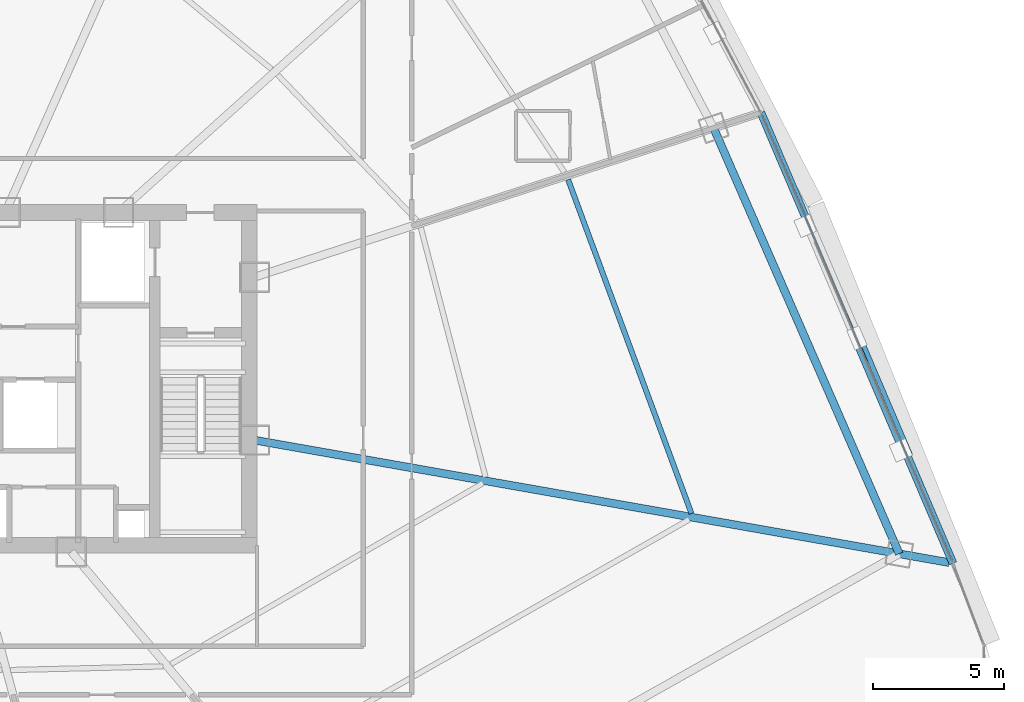
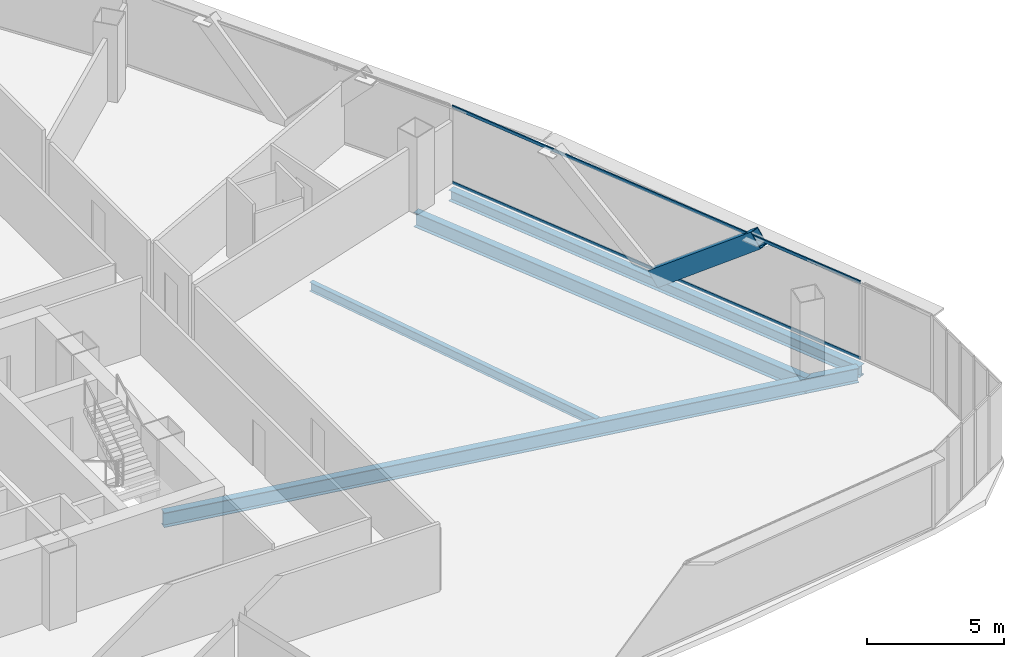
# One storey, part 25 of 42: 4 beams, 3 members, 1 element without a shape of its own.
"""IFC4 building model written with IfcOpenShell, lengths in metres."""

from ifc_helpers import new_model, si_unit, direction, frame, origin, origin_2d, place, context, subcontext, project, spatial, hollow_rectangle, i_section, extrude, source, transform, mapped, material, layer, layer_set, material_profile, profile_set, type_object, element, aggregate, save


model = new_model("IFC4")

# Units and contexts
model_context = context("Model", 3, precision=1e-05, world=origin(), true_north=direction((0.0, 1.0)))
body_context = subcontext(model_context, "Body", "Model", "MODEL_VIEW")
ifc_project = project(units=[si_unit("LENGTHUNIT", "METRE"), si_unit("AREAUNIT", "SQUARE_METRE"), si_unit("VOLUMEUNIT", "CUBIC_METRE"), si_unit("PLANEANGLEUNIT", "RADIAN"), si_unit("MASSUNIT", "GRAM", prefix="KILO"), si_unit("THERMODYNAMICTEMPERATUREUNIT", "KELVIN"), si_unit("POWERUNIT", "WATT")], contexts=[model_context])

# Site, building, storey
site_placement = place(None, origin())
site = spatial("IfcSite", under=ifc_project, at=site_placement, CompositionType="ELEMENT")
building_placement = place(site_placement, origin())
building = spatial("IfcBuilding", under=site, at=building_placement, Name="Yunzhuo Pagoda Commons", CompositionType="ELEMENT")
storey_placement = place(building_placement, frame((0.0, 0.0, 137.18994140625)))
storey = spatial("IfcBuildingStorey", under=building, at=storey_placement, Name="L34", CompositionType="ELEMENT", Elevation=137.18994140625)

# Beams
ifc_material_1 = material(Name="Structural steel Q355B", Category="steel")
ifc_material_profile_1 = material_profile(ifc_material_1, i_section(OverallWidth=0.300048828125, OverallDepth=0.488037109375, WebThickness=0.010986328125, FlangeThickness=0.01806640625, at=origin_2d()), Name="Structural steel Q355B")
ifc_profile_set_1 = profile_set([ifc_material_profile_1], Name="Structural steel Q355B")
beam_type_1 = type_object("IfcBeamType", Name="B-SP1 Beam HM 488x300x11x18", PredefinedType="BEAM", material=ifc_profile_set_1)
shared_shape_1 = source(origin(), body_context, "Body", "SweptSolid", [
    extrude(i_section(OverallWidth=0.300048828125, OverallDepth=0.488037109375, WebThickness=0.010986328125, FlangeThickness=0.01806640625, at=origin_2d()), origin(), (0.0, 0.0, 1.0), 18.688232421875),
])
beam_1_placement = place(storey_placement, frame((87.0478515625, 26.814697265625, -0.50390625), z_axis=(-0.392084847938, 0.919929058144, 0.0), x_axis=(-0.919929058144, -0.392084847938, 0.0)))
element("IfcBeam", 1, at=beam_1_placement, inside=storey, type_object=beam_type_1, Name="L34 facade edge spandrel beam F2.1", PredefinedType="BEAM", context=body_context, shape_type="MappedRepresentation", body=[
    mapped(shared_shape_1, transform((0.0, 0.0, 0.0), scale=1.0)),
])
ifc_material_profile_2 = material_profile(ifc_material_1, i_section(OverallWidth=0.300048828125, OverallDepth=0.64990234375, WebThickness=0.012939453125, FlangeThickness=0.02197265625, at=origin_2d()), Name="Structural steel Q355B")
ifc_profile_set_2 = profile_set([ifc_material_profile_2], Name="Structural steel Q355B")
beam_type_2 = type_object("IfcBeamType", Name="B-RG2 Beam HN 650x300x13x22", PredefinedType="BEAM", material=ifc_profile_set_2)
shared_shape_2 = source(origin(), body_context, "Body", "SweptSolid", [
    extrude(i_section(OverallWidth=0.300048828125, OverallDepth=0.64990234375, WebThickness=0.012939453125, FlangeThickness=0.02197265625, at=origin_2d()), origin(), (0.0, 0.0, 1.0), 26.904052734375),
])
beam_2_placement = place(storey_placement, frame((86.895263671875, 26.841796875, -0.584716796875), z_axis=(-0.984809127253, 0.173640383782, 0.0), x_axis=(-0.173640383782, -0.984809127253, 0.0)))
element("IfcBeam", 2, at=beam_2_placement, inside=storey, type_object=beam_type_2, Name="L34 radial floor girder F2C1", PredefinedType="BEAM", context=body_context, shape_type="MappedRepresentation", body=[
    mapped(shared_shape_2, transform((0.0, 0.0, 0.0), scale=1.0)),
])
shared_shape_3 = source(origin(), body_context, "Body", "SweptSolid", [
    extrude(i_section(OverallWidth=0.300048828125, OverallDepth=0.64990234375, WebThickness=0.012939453125, FlangeThickness=0.02197265625, at=origin_2d()), origin(), (0.0, 0.0, 1.0), 17.72021484375),
])
beam_3_placement = place(storey_placement, frame((84.9970703125, 27.176513671875, -0.584716796875), z_axis=(-0.399643307961, 0.916670729544, 0.0), x_axis=(-0.916670729544, -0.399643307961, 0.0)))
element("IfcBeam", 3, at=beam_3_placement, inside=storey, type_object=beam_type_2, Name="L34 column-ring beam 5", PredefinedType="BEAM", context=body_context, shape_type="MappedRepresentation", body=[
    mapped(shared_shape_3, transform((0.0, 0.0, 0.0), scale=1.0)),
])
ifc_material_profile_3 = material_profile(ifc_material_1, i_section(OverallWidth=0.199951171875, OverallDepth=0.39990234375, WebThickness=0.008056640625, FlangeThickness=0.012939453125, at=origin_2d()), Name="Structural steel Q355B")
ifc_profile_set_3 = profile_set([ifc_material_profile_3], Name="Structural steel Q355B")
beam_type_3 = type_object("IfcBeamType", Name="B-JS1 Joist HN 400x200x8x13", PredefinedType="JOIST", material=ifc_profile_set_3)
shared_shape_4 = source(origin(), body_context, "Body", "SweptSolid", [
    extrude(i_section(OverallWidth=0.199951171875, OverallDepth=0.39990234375, WebThickness=0.008056640625, FlangeThickness=0.012939453125, at=origin_2d()), origin(), (0.0, 0.0, 1.0), 13.57763671875),
])
beam_4_placement = place(storey_placement, frame((77.07080078125, 28.71337890625, -0.459716796875), z_axis=(-0.346531829181, 0.938038214235, 0.0), x_axis=(-0.938038214235, -0.346531829181, 0.0)))
element("IfcBeam", 4, at=beam_4_placement, inside=storey, type_object=beam_type_3, Name="L34 composite ring joist 2.5", PredefinedType="JOIST", context=body_context, shape_type="MappedRepresentation", body=[
    mapped(shared_shape_4, transform((0.0, 0.0, 0.0), scale=1.0)),
])

# Member
ifc_material_2 = material(Name="Structural steel Q420B", Category="steel")
ifc_material_profile_4 = material_profile(ifc_material_2, hollow_rectangle(XDim=0.419921875, YDim=0.719970703125, WallThickness=0.028076171875, at=origin_2d()), Name="Structural steel Q420B")
ifc_profile_set_4 = profile_set([ifc_material_profile_4], Name="Structural steel Q420B")
member_type_1 = type_object("IfcMemberType", Name="M-DL1 Brace BOX 720x420x28", PredefinedType="BRACE", material=ifc_profile_set_4)
shared_shape_5 = source(origin(), body_context, "Body", "SweptSolid", [
    extrude(hollow_rectangle(XDim=0.419921875, YDim=0.719970703125, WallThickness=0.028076171875, at=origin_2d()), origin(), (0.0, 0.0, 1.0), 5.947509765625),
])
member_1_placement = place(storey_placement, frame((83.38427734375, 35.410888671875, -0.260009765625), z_axis=(0.308029907344, -0.722663448665, 0.618769032956), x_axis=(0.919918938864, 0.392108589448, 0.0)))
element("IfcMember", 5, at=member_1_placement, inside=storey, type_object=member_type_1, Name="L34 facade diamond brace F2.1L", PredefinedType="BRACE", context=body_context, shape_type="MappedRepresentation", body=[
    mapped(shared_shape_5, transform((0.0, 0.0, 0.0), scale=1.0)),
])

# Curtain wall, members
ifc_material_3 = material(Name="Anodized aluminium 6063-T6", Category="aluminium")
ifc_layer = layer(ifc_material_3, 0.14990234375)
ifc_layer_set = layer_set([ifc_layer], Name="Anodized aluminium 6063-T6")
curtain_wall_type = type_object("IfcCurtainWallType", Name="CW-MID Mid-Zone Ribbon Curtain Wall", PredefinedType="NOTDEFINED", material=ifc_layer_set)
curtain_wall_placement = place(storey_placement, origin())
curtain_wall = element("IfcCurtainWall", 6, at=curtain_wall_placement, inside=storey, type_object=curtain_wall_type, Name="L34 curtain wall CW-L34-F2B2", PredefinedType="NOTDEFINED")
ifc_material_profile_5 = material_profile(ifc_material_3, hollow_rectangle(XDim=0.054931640625, YDim=0.1298828125, WallThickness=0.00341796875, at=origin_2d()), Name="Anodized aluminium 6063-T6")
ifc_profile_set_5 = profile_set([ifc_material_profile_5], Name="Anodized aluminium 6063-T6")
member_type_2 = type_object("IfcMemberType", Name="CW-MID-T Transom RHS 130x55x3.5", PredefinedType="USERDEFINED", material=ifc_profile_set_5)
shared_shape_6 = source(origin(), body_context, "Body", "SweptSolid", [
    extrude(hollow_rectangle(XDim=0.054931640625, YDim=0.1298828125, WallThickness=0.00341796875, at=origin_2d()), origin(), (0.0, 0.0, 1.0), 18.568115234375),
])
member_2_placement = place(storey_placement, frame((87.0244140625, 26.8701171875, 0.027587890625), z_axis=(-0.392085671986, 0.919928706924, 0.0), x_axis=(-0.919928706924, -0.392085671986, 0.0)))
member_2 = element("IfcMember", 7, at=member_2_placement, type_object=member_type_2, Name="CW transom 1.1", ObjectType="TRANSOM", PredefinedType="USERDEFINED", context=body_context, shape_type="MappedRepresentation", body=[
    mapped(shared_shape_6, transform((0.0, 0.0, 0.0), scale=1.0)),
])
member_3_placement = place(storey_placement, frame((87.0244140625, 26.8701171875, 3.392822265625), z_axis=(-0.392085671986, 0.919928706924, 0.0), x_axis=(-0.919928706924, -0.392085671986, 0.0)))
member_3 = element("IfcMember", 8, at=member_3_placement, type_object=member_type_2, Name="CW transom 1.2", ObjectType="TRANSOM", PredefinedType="USERDEFINED", context=body_context, shape_type="MappedRepresentation", body=[
    mapped(shared_shape_6, transform((0.0, 0.0, 0.0), scale=1.0)),
])
aggregate(curtain_wall, [member_2, member_3])

save(model, "model.ifc")
